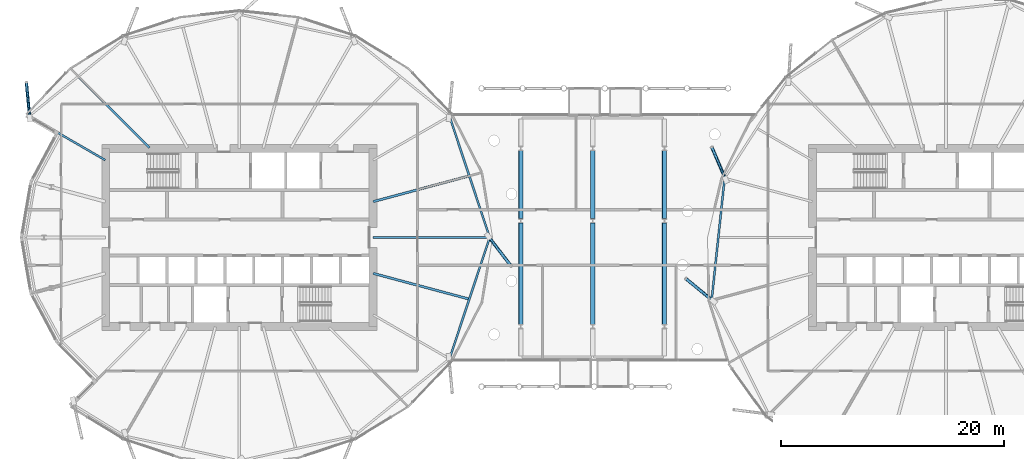
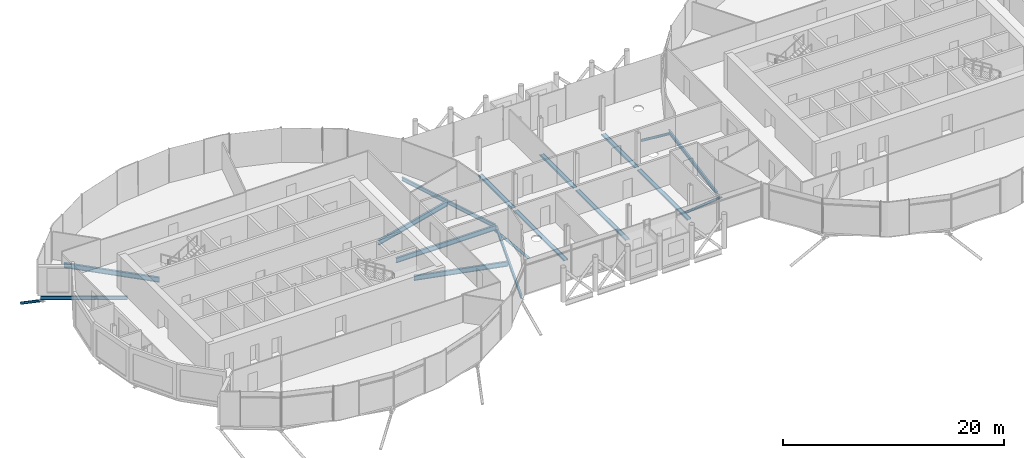
# One storey, part 8 of 39: 14 beams, 4 members.
"""IFC4 building model written with IfcOpenShell, lengths in metres."""

from ifc_helpers import new_model, si_unit, direction, frame, origin, origin_2d, place, context, subcontext, project, spatial, hollow_circle, i_section, extrude, clip, halfspace, material, material_profile, profile_set, type_object, element, save


model = new_model("IFC4")

# Units and contexts
model_context = context("Model", 3, precision=1e-05, world=origin(), true_north=direction((0.0, 1.0)))
body_context = subcontext(model_context, "Body", "Model", "MODEL_VIEW")
ifc_project = project(units=[si_unit("LENGTHUNIT", "METRE"), si_unit("AREAUNIT", "SQUARE_METRE"), si_unit("VOLUMEUNIT", "CUBIC_METRE"), si_unit("PLANEANGLEUNIT", "RADIAN"), si_unit("MASSUNIT", "GRAM", prefix="KILO")], contexts=[model_context])

# Site, building, storey
site_placement = place(None, origin())
site = spatial("IfcSite", under=ifc_project, at=site_placement, CompositionType="ELEMENT")
building_placement = place(site_placement, origin())
building = spatial("IfcBuilding", under=site, at=building_placement, Name="Rimbun Link Towers", CompositionType="ELEMENT")
storey_placement = place(building_placement, frame((0.0, 0.0, 139.199951171875)))
storey = spatial("IfcBuildingStorey", under=building, at=storey_placement, Name="L33", CompositionType="ELEMENT", Elevation=139.199951171875)

# Members
ifc_material_1 = material(Name="Steel S355J2H", Category="steel")
ifc_material_profile_1 = material_profile(ifc_material_1, hollow_circle(Radius=0.136474609375, WallThickness=0.012451171875, at=origin_2d()), Name="CHS 273x12.5")
ifc_profile_set_1 = profile_set([ifc_material_profile_1], Name="Steel S355J2H")
member_type = type_object("IfcMemberType", Name="Floor edge link CHS 273x12.5", PredefinedType="BRACE", material=ifc_profile_set_1)
member_1_placement = place(storey_placement, frame((-9.2998046875, 0.0, -0.826904296875), z_axis=(0.507060898211, -0.658780397737, -0.555785599907), x_axis=(0.792445635664, 0.609942550178, 0.0)))
element("IfcMember", 1, at=member_1_placement, inside=storey, type_object=member_type, Name="Floor edge link T1 L33 00", PredefinedType="BRACE", context=body_context, shape_type="Clipping", body=[
    clip(extrude(hollow_circle(Radius=0.136474609375, WallThickness=0.012451171875, at=origin_2d()), frame((0.0, 0.0, -0.42626953125)), (0.0, 0.0, 1.0), 4.344482421875), halfspace(frame((0.0, 0.0, -0.201171875), z_axis=(0.0, 0.831325668397, -0.555785599907)), False)),
])
member_2_placement = place(storey_placement, frame((-50.590576171875, 10.877685546875, -0.700439453125), z_axis=(-0.079120837253, 0.830999368117, -0.550617783314), x_axis=(-0.995497955132, -0.094783022365, 0.0)))
element("IfcMember", 2, at=member_2_placement, inside=storey, type_object=member_type, Name="Floor edge link T1 L33 10", PredefinedType="BRACE", context=body_context, shape_type="Clipping", body=[
    clip(extrude(hollow_circle(Radius=0.136474609375, WallThickness=0.012451171875, at=origin_2d()), frame((0.0, 0.0, -0.43212890625)), (0.0, 0.0, 1.0), 4.137939453125), halfspace(frame((0.0, 0.0, -0.20361328125), z_axis=(0.0, 0.834757483763, -0.550617783314)), False)),
])
member_3_placement = place(storey_placement, frame((11.904296875, 5.317626953125, -0.74755859375), z_axis=(-0.329383940106, 0.767630935973, -0.549771740032), x_axis=(-0.918971884177, -0.394323060565, 0.0)))
element("IfcMember", 3, at=member_3_placement, inside=storey, type_object=member_type, Name="Floor edge link T2 L33 08", PredefinedType="BRACE", context=body_context, shape_type="Clipping", body=[
    clip(extrude(hollow_circle(Radius=0.136474609375, WallThickness=0.012451171875, at=origin_2d()), frame((0.0, 0.0, -0.43310546875)), (0.0, 0.0, 1.0), 4.10205078125), halfspace(frame((0.0, 0.0, -0.2041015625), z_axis=(0.0, 0.835314930947, -0.549771740032)), False)),
])
member_4_placement = place(storey_placement, frame((10.736083984375, -5.630615234375, -0.828125), z_axis=(-0.650765241706, 0.532644155143, -0.54110516924), x_axis=(-0.633380143889, -0.773840806192, 0.0)))
element("IfcMember", 4, at=member_4_placement, inside=storey, type_object=member_type, Name="Floor edge link T2 L33 10", PredefinedType="BRACE", context=body_context, shape_type="Clipping", body=[
    clip(extrude(hollow_circle(Radius=0.136474609375, WallThickness=0.012451171875, at=origin_2d()), frame((0.0, 0.0, -0.44287109375)), (0.0, 0.0, 1.0), 4.107421875), halfspace(frame((0.0, 0.0, -0.208984375), z_axis=(0.0, 0.84095493091, -0.54110516924)), False)),
])

# Beams
ifc_material_2 = material(Name="Steel S355J2", Category="steel")
ifc_material_profile_2 = material_profile(ifc_material_2, i_section(OverallWidth=0.177978515625, OverallDepth=0.406494140625, WebThickness=0.0078125, FlangeThickness=0.0126953125, at=origin_2d()), Name="UKB 406x178x60")
ifc_profile_set_2 = profile_set([ifc_material_profile_2], Name="Steel S355J2")
beam_type_1 = type_object("IfcBeamType", Name="Link floor beam UKB 406x178x60", PredefinedType="BEAM", material=ifc_profile_set_2)
beam_1_placement = place(storey_placement, frame((-6.449951171875, -7.8125, -0.363037109375), z_axis=(0.0, 1.0, 0.0), x_axis=(0.0, 0.0, 1.0)))
element("IfcBeam", 5, at=beam_1_placement, inside=storey, type_object=beam_type_1, Name="Link floor beam L33 01", PredefinedType="BEAM", context=body_context, shape_type="SweptSolid", body=[
    extrude(i_section(OverallWidth=0.177978515625, OverallDepth=0.406494140625, WebThickness=0.0078125, FlangeThickness=0.0126953125, at=origin_2d()), origin(), (0.0, 0.0, 1.0), 9.125244140625),
])
beam_2_placement = place(storey_placement, frame((-6.449951171875, 1.687255859375, -0.363037109375), z_axis=(0.0, 1.0, 0.0), x_axis=(0.0, 0.0, 1.0)))
element("IfcBeam", 6, at=beam_2_placement, inside=storey, type_object=beam_type_1, Name="Link floor beam L33 02", PredefinedType="BEAM", context=body_context, shape_type="SweptSolid", body=[
    extrude(i_section(OverallWidth=0.177978515625, OverallDepth=0.406494140625, WebThickness=0.0078125, FlangeThickness=0.0126953125, at=origin_2d()), origin(), (0.0, 0.0, 1.0), 6.125244140625),
])
beam_3_placement = place(storey_placement, frame((0.0, -7.8125, -0.363037109375), z_axis=(0.0, 1.0, 0.0), x_axis=(0.0, 0.0, 1.0)))
element("IfcBeam", 7, at=beam_3_placement, inside=storey, type_object=beam_type_1, Name="Link floor beam L33 05", PredefinedType="BEAM", context=body_context, shape_type="SweptSolid", body=[
    extrude(i_section(OverallWidth=0.177978515625, OverallDepth=0.406494140625, WebThickness=0.0078125, FlangeThickness=0.0126953125, at=origin_2d()), origin(), (0.0, 0.0, 1.0), 9.125244140625),
])
beam_4_placement = place(storey_placement, frame((0.0, 1.687255859375, -0.363037109375), z_axis=(0.0, 1.0, 0.0), x_axis=(0.0, 0.0, 1.0)))
element("IfcBeam", 8, at=beam_4_placement, inside=storey, type_object=beam_type_1, Name="Link floor beam L33 06", PredefinedType="BEAM", context=body_context, shape_type="SweptSolid", body=[
    extrude(i_section(OverallWidth=0.177978515625, OverallDepth=0.406494140625, WebThickness=0.0078125, FlangeThickness=0.0126953125, at=origin_2d()), origin(), (0.0, 0.0, 1.0), 6.125244140625),
])
beam_5_placement = place(storey_placement, frame((6.449951171875, -7.8125, -0.363037109375), z_axis=(0.0, 1.0, 0.0), x_axis=(0.0, 0.0, 1.0)))
element("IfcBeam", 9, at=beam_5_placement, inside=storey, type_object=beam_type_1, Name="Link floor beam L33 09", PredefinedType="BEAM", context=body_context, shape_type="SweptSolid", body=[
    extrude(i_section(OverallWidth=0.177978515625, OverallDepth=0.406494140625, WebThickness=0.0078125, FlangeThickness=0.0126953125, at=origin_2d()), origin(), (0.0, 0.0, 1.0), 9.125244140625),
])
beam_6_placement = place(storey_placement, frame((6.449951171875, 1.687255859375, -0.363037109375), z_axis=(0.0, 1.0, 0.0), x_axis=(0.0, 0.0, 1.0)))
element("IfcBeam", 10, at=beam_6_placement, inside=storey, type_object=beam_type_1, Name="Link floor beam L33 10", PredefinedType="BEAM", context=body_context, shape_type="SweptSolid", body=[
    extrude(i_section(OverallWidth=0.177978515625, OverallDepth=0.406494140625, WebThickness=0.0078125, FlangeThickness=0.0126953125, at=origin_2d()), origin(), (0.0, 0.0, 1.0), 6.125244140625),
])
ifc_material_3 = material(Name="Steel S355J2", Category="steel")
ifc_material_profile_3 = material_profile(ifc_material_3, i_section(OverallWidth=0.177978515625, OverallDepth=0.406494140625, WebThickness=0.0078125, FlangeThickness=0.0126953125, at=origin_2d()), Name="UB 406x178x60")
ifc_profile_set_3 = profile_set([ifc_material_profile_3], Name="Steel S355J2")
beam_type_2 = type_object("IfcBeamType", Name="UB 406x178x60", PredefinedType="BEAM", material=ifc_profile_set_3)
beam_7_placement = place(storey_placement, frame((-43.79541015625, 6.954345703125, -0.383056640625), z_axis=(-0.866019794698, 0.500009715097, 0.0), x_axis=(-0.500009715097, -0.866019794698, 0.0)))
element("IfcBeam", 11, at=beam_7_placement, inside=storey, type_object=beam_type_2, Name="Radial beam T1 L33 10", PredefinedType="BEAM", context=body_context, shape_type="SweptSolid", body=[
    extrude(i_section(OverallWidth=0.177978515625, OverallDepth=0.406494140625, WebThickness=0.0078125, FlangeThickness=0.0126953125, at=origin_2d()), origin(), (0.0, 0.0, 1.0), 7.896240234375),
])
for number, where, z_axis, x_axis, name in (
    (12, (-9.284912109375, 0.105712890625, -0.383056640625), (-0.314818846529, 0.949151775993, 0.0), (-0.949151775993, -0.314818846529, 0.0), "Edge beam T1 L33 00-02"),
    (13, (-12.837158203125, -10.8154296875, -0.383056640625), (0.314818846529, 0.949151775993, 0.0), (-0.949151775993, 0.314818846529, 0.0), "Edge beam T1 L33 22-00"),
):
    element("IfcBeam", number, at=place(storey_placement, frame(where, z_axis=z_axis, x_axis=x_axis)), inside=storey, type_object=beam_type_2, Name=name, PredefinedType="BEAM", context=body_context, shape_type="SweptSolid", body=[
        extrude(i_section(OverallWidth=0.177978515625, OverallDepth=0.406494140625, WebThickness=0.0078125, FlangeThickness=0.0126953125, at=origin_2d()), origin(), (0.0, 0.0, 1.0), 11.283447265625),
    ])
beam_8_placement = place(storey_placement, frame((11.845703125, 5.23388671875, -0.383056640625), z_axis=(-0.105858646413, -0.994381187965, 0.0), x_axis=(0.994381187965, -0.105858646413, 0.0)))
element("IfcBeam", 14, at=beam_8_placement, inside=storey, type_object=beam_type_2, Name="Edge beam T2 L33 08-10", PredefinedType="BEAM", context=body_context, shape_type="SweptSolid", body=[
    extrude(i_section(OverallWidth=0.177978515625, OverallDepth=0.406494140625, WebThickness=0.0078125, FlangeThickness=0.0126953125, at=origin_2d()), origin(), (0.0, 0.0, 1.0), 10.82568359375),
])
ifc_material_4 = material(Name="Steel S355J2", Category="steel")
ifc_material_profile_4 = material_profile(ifc_material_4, i_section(OverallWidth=0.209228515625, OverallDepth=0.533203125, WebThickness=0.010009765625, FlangeThickness=0.015625, at=origin_2d()), Name="UB 533x210x92")
ifc_profile_set_4 = profile_set([ifc_material_profile_4], Name="Steel S355J2")
beam_type_3 = type_object("IfcBeamType", Name="UB 533x210x92", PredefinedType="BEAM", material=ifc_profile_set_4)
beam_9_placement = place(storey_placement, frame((-19.7490234375, 0.0, -0.446533203125), z_axis=(1.0, 0.0, 0.0), x_axis=(0.0, 1.0, 0.0)))
element("IfcBeam", 15, at=beam_9_placement, inside=storey, type_object=beam_type_3, Name="Radial beam T1 L33 00", PredefinedType="BEAM", context=body_context, shape_type="SweptSolid", body=[
    extrude(i_section(OverallWidth=0.209228515625, OverallDepth=0.533203125, WebThickness=0.010009765625, FlangeThickness=0.015625, at=origin_2d()), origin(), (0.0, 0.0, 1.0), 10.4990234375),
])
beam_10_placement = place(storey_placement, frame((-19.721923828125, 3.222900390625, -0.446533203125), z_axis=(0.965927488146, 0.25881284289, 0.0), x_axis=(-0.25881284289, 0.965927488146, 0.0)))
element("IfcBeam", 16, at=beam_10_placement, inside=storey, type_object=beam_type_3, Name="Radial beam T1 L33 01", PredefinedType="BEAM", context=body_context, shape_type="SweptSolid", body=[
    extrude(i_section(OverallWidth=0.209228515625, OverallDepth=0.533203125, WebThickness=0.010009765625, FlangeThickness=0.015625, at=origin_2d()), origin(), (0.0, 0.0, 1.0), 8.85009765625),
])
beam_11_placement = place(storey_placement, frame((-39.82470703125, 8.07470703125, -0.446533203125), z_axis=(-0.707106781187, 0.707106781187, 0.0), x_axis=(-0.707106781187, -0.707106781187, 0.0)))
element("IfcBeam", 17, at=beam_11_placement, inside=storey, type_object=beam_type_3, Name="Radial beam T1 L33 09", PredefinedType="BEAM", context=body_context, shape_type="SweptSolid", body=[
    extrude(i_section(OverallWidth=0.209228515625, OverallDepth=0.533203125, WebThickness=0.010009765625, FlangeThickness=0.015625, at=origin_2d()), origin(), (0.0, 0.0, 1.0), 8.951416015625),
])
beam_12_placement = place(storey_placement, frame((-19.721923828125, -3.222900390625, -0.446533203125), z_axis=(0.965927488146, -0.25881284289, 0.0), x_axis=(0.25881284289, 0.965927488146, 0.0)))
element("IfcBeam", 18, at=beam_12_placement, inside=storey, type_object=beam_type_3, Name="Radial beam T1 L33 23", PredefinedType="BEAM", context=body_context, shape_type="SweptSolid", body=[
    extrude(i_section(OverallWidth=0.209228515625, OverallDepth=0.533203125, WebThickness=0.010009765625, FlangeThickness=0.015625, at=origin_2d()), origin(), (0.0, 0.0, 1.0), 8.85009765625),
])

save(model, "model.ifc")
